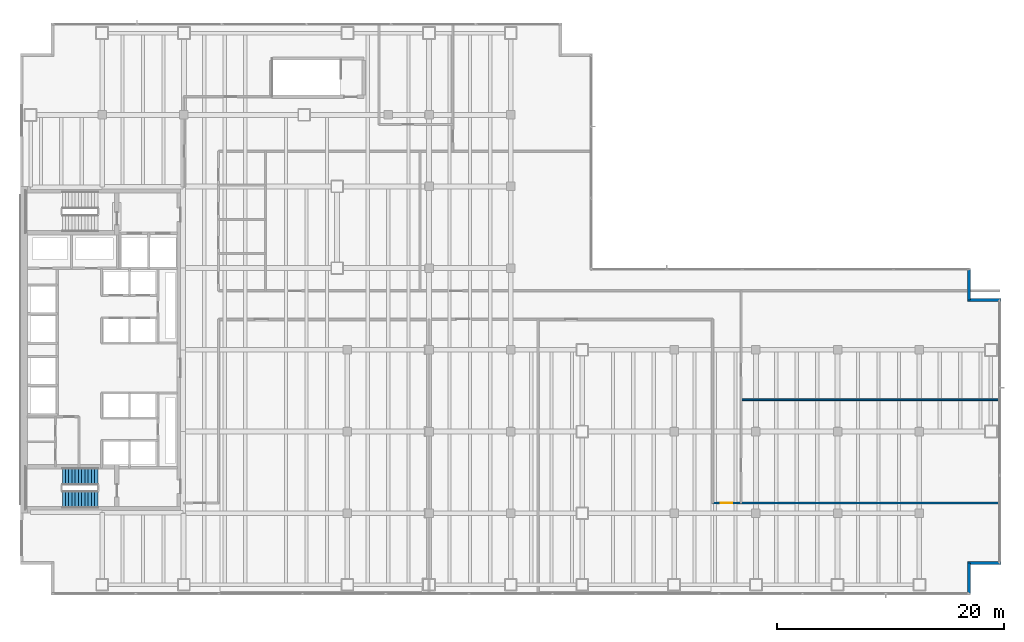
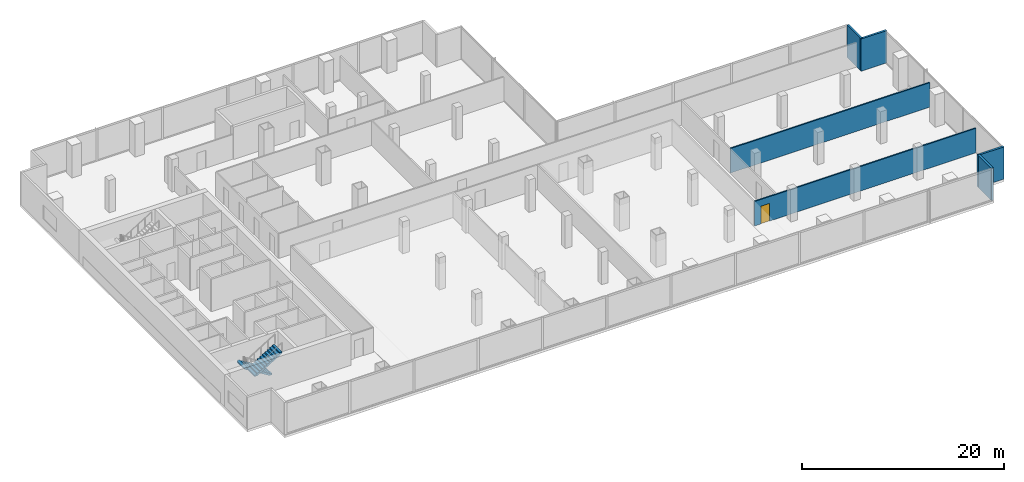
# One storey, part 26 of 32: 6 walls, 2 stair flights, 1 door, 1 opening, 1 element without a shape of its own.
"""IFC4 building model written with IfcOpenShell, lengths in metres."""

from ifc_helpers import new_model, si_unit, direction, frame, frame_2d, origin, place, context, subcontext, project, spatial, polyline, rectangle, outline, extrude, material, layer, layer_set, type_object, element, fill, aggregate, save


model = new_model("IFC4")

# Units and contexts
model_context = context("Model", 3, precision=1e-05, world=origin(), true_north=direction((0.0, 1.0)))
body_context = subcontext(model_context, "Body", "Model", "MODEL_VIEW")
ifc_project = project(units=[si_unit("LENGTHUNIT", "METRE"), si_unit("AREAUNIT", "SQUARE_METRE"), si_unit("VOLUMEUNIT", "CUBIC_METRE"), si_unit("PLANEANGLEUNIT", "RADIAN"), si_unit("MASSUNIT", "GRAM", prefix="KILO")], contexts=[model_context])

# Site, building, storey
site_placement = place(None, origin())
site = spatial("IfcSite", under=ifc_project, at=site_placement, CompositionType="ELEMENT")
building_placement = place(site_placement, origin())
building = spatial("IfcBuilding", under=site, at=building_placement, Name="Cobrela Telecom Tower", CompositionType="ELEMENT")
storey_placement = place(building_placement, frame((0.0, 0.0, 22.050048828125)))
storey = spatial("IfcBuildingStorey", under=building, at=storey_placement, Name="L05", CompositionType="ELEMENT", Elevation=22.050048828125)

# Walls
ifc_material_1 = material(Name="Concrete C40/50", Category="concrete")
ifc_layer_1 = layer(ifc_material_1, 0.239990234375)
ifc_layer_set_1 = layer_set([ifc_layer_1], Name="Concrete C40/50")
wall_type_1 = type_object("IfcWallType", Name="WALL-EXT-300", PredefinedType="STANDARD", material=ifc_layer_set_1)
wall_1_placement = place(storey_placement, frame((83.580078125, 28.679931640625, 0.0), z_axis=(0.0, 0.0, 1.0), x_axis=(0.0, -1.0, 0.0)))
element("IfcWall", 1, at=wall_1_placement, inside=storey, type_object=wall_type_1, Name="L05 Insulated Facade Wall 12", PredefinedType="STANDARD", context=body_context, shape_type="SweptSolid", body=[
    extrude(rectangle(XDim=2.699951171875, YDim=0.239990234375, at=frame_2d((1.35009765625, 0.0))), origin(), (0.0, 0.0, 1.0), 3.89990234375),
])
for number, where, z_axis, x_axis, name in (
    (2, (83.4599609375, 25.97998046875, 0.0), (0.0, 0.0, 1.0), (1.0, 0.0, 0.0), "L05 Insulated Facade Wall 13"),
    (3, (86.39990234375, 2.820068359375, 0.0), (0.0, 0.0, 1.0), (-1.0, 0.0, 0.0), "L05 Insulated Facade Wall 15"),
):
    element("IfcWall", number, at=place(storey_placement, frame(where, z_axis=z_axis, x_axis=x_axis)), inside=storey, type_object=wall_type_1, Name=name, PredefinedType="STANDARD", context=body_context, shape_type="SweptSolid", body=[
        extrude(rectangle(XDim=2.93994140625, YDim=0.239990234375, at=frame_2d((1.469970703125, 0.0))), origin(), (0.0, 0.0, 1.0), 3.89990234375),
    ])
wall_2_placement = place(storey_placement, frame((83.580078125, 2.820068359375, 0.0), z_axis=(0.0, 0.0, 1.0), x_axis=(0.0, -1.0, 0.0)))
element("IfcWall", 4, at=wall_2_placement, inside=storey, type_object=wall_type_1, Name="L05 Insulated Facade Wall 16", PredefinedType="STANDARD", context=body_context, shape_type="SweptSolid", body=[
    extrude(rectangle(XDim=2.699951171875, YDim=0.239990234375, at=frame_2d((1.35009765625, 0.0))), origin(), (0.0, 0.0, 1.0), 3.89990234375),
])

# Wall, opening, door
ifc_material_2 = material(Name="Fire-Rated Gypsum Plasterboard")
ifc_layer_2 = layer(ifc_material_2, 0.14990234375)
ifc_layer_set_2 = layer_set([ifc_layer_2], Name="Fire-Rated Gypsum Plasterboard")
wall_type_2 = type_object("IfcWallType", Name="WALL-PART-150", PredefinedType="PARTITIONING", material=ifc_layer_set_2)
wall_3_placement = place(storey_placement, frame((61.0, 8.10009765625, 0.0), z_axis=(0.0, 0.0, 1.0), x_axis=(1.0, 0.0, 0.0)))
wall_3 = element("IfcWall", 5, at=wall_3_placement, inside=storey, type_object=wall_type_2, Name="L05 Interior Partition W-P4-LPS", PredefinedType="PARTITIONING", context=body_context, shape_type="SweptSolid", body=[
    extrude(rectangle(XDim=25.280029296875, YDim=0.14990234375, at=frame_2d((12.64013671875, 0.0))), origin(), (0.0, 0.0, 1.0), 2.9580078125),
])
opening_placement = place(wall_3_placement, frame((0.699951171875, 0.0, 0.0)))
opening = element("IfcOpeningElement", 6, at=opening_placement, cuts=wall_3, Name="Opening DR-31", PredefinedType="OPENING", context=body_context, shape_type="SweptSolid", body=[
    extrude(rectangle(XDim=1.0, YDim=2.14990234375, at=frame_2d((0.5, 1.074951171875))), frame((0.0, 0.0869140625, 0.0), z_axis=(0.0, -1.0, 0.0), x_axis=(1.0, 0.0, 0.0)), (0.0, 0.0, 1.0), 0.173828125),
])
ifc_material_3 = material(Name="Solid Engineered Oak Timber", Category="wood")
door_type = type_object("IfcDoorType", Name="DOOR-INT-1000", OperationType="SINGLE_SWING_LEFT", PredefinedType="DOOR", material=ifc_material_3)
door_placement = place(opening_placement, origin())
door = element("IfcDoor", 7, at=door_placement, inside=storey, type_object=door_type, Name="L05 Door DR-31", OperationType="SINGLE_SWING_LEFT", OverallHeight=2.14990234375, OverallWidth=1.0, PredefinedType="DOOR", context=body_context, shape_type="SweptSolid", body=[
    extrude(rectangle(XDim=1.0, YDim=2.14990234375, at=frame_2d((0.5, 1.074951171875))), frame((0.0, 0.02490234375, 0.0), z_axis=(0.0, -1.0, 0.0), x_axis=(1.0, 0.0, 0.0)), (0.0, 0.0, 1.0), 0.050048828125),
])
fill(opening, door)

# Wall
wall_4_placement = place(storey_placement, frame((63.5, 17.199951171875, 0.0), z_axis=(0.0, 0.0, 1.0), x_axis=(1.0, 0.0, 0.0)))
element("IfcWall", 8, at=wall_4_placement, inside=storey, type_object=wall_type_2, Name="L05 Interior Partition W-P4-EH1", PredefinedType="PARTITIONING", context=body_context, shape_type="SweptSolid", body=[
    extrude(rectangle(XDim=22.780029296875, YDim=0.14990234375, at=frame_2d((11.39013671875, 0.0))), origin(), (0.0, 0.0, 1.0), 2.9580078125),
])

# Stair, stair flights
stair_type = type_object("IfcStairType", Name="STAIR-CORE", PredefinedType="HALF_TURN_STAIR", material=ifc_material_1)
stair_placement = place(storey_placement, origin())
stair = element("IfcStair", 9, at=stair_placement, inside=storey, type_object=stair_type, Name="L05 Smokeproof Exit Stair ST2", PredefinedType="HALF_TURN_STAIR")
stair_flight_type = type_object("IfcStairFlightType", Name="FLIGHT-CORE", PredefinedType="STRAIGHT", material=ifc_material_1)
stair_flight_1_placement = place(storey_placement, frame((6.820068359375, 10.449951171875, 0.0), z_axis=(0.0, 0.0, 1.0), x_axis=(-1.0, 0.0, 0.0)))
stair_flight_1 = element("IfcStairFlight", 10, at=stair_flight_1_placement, type_object=stair_flight_type, Name="ST2 flight 1", NumberOfRisers=12, NumberOfTreads=11, PredefinedType="STRAIGHT", RiserHeight=0.175, TreadLength=0.285, context=body_context, shape_type="SweptSolid", body=[
    extrude(outline(polyline([(0.0, 0.0), (0.0, 0.175048828125), (0.284912109375, 0.175048828125), (0.284912109375, 0.35009765625), (0.570068359375, 0.35009765625), (0.570068359375, 0.52490234375), (0.85498046875, 0.52490234375), (0.85498046875, 0.699951171875), (1.139892578125, 0.699951171875), (1.139892578125, 0.875), (1.425048828125, 0.875), (1.425048828125, 1.050048828125), (1.7099609375, 1.050048828125), (1.7099609375, 1.22509765625), (1.9951171875, 1.22509765625), (1.9951171875, 1.39990234375), (2.280029296875, 1.39990234375), (2.280029296875, 1.574951171875), (2.56494140625, 1.574951171875), (2.56494140625, 1.75), (2.85009765625, 1.75), (2.85009765625, 1.925048828125), (3.135009765625, 1.925048828125), (3.135009765625, 2.10009765625), (3.135009765625, 1.7490234375), (0.286376953125, 0.0), (0.0, 0.0)])), frame((0.0, 0.75, 0.0), z_axis=(0.0, -1.0, 0.0), x_axis=(1.0, 0.0, 0.0)), (0.0, 0.0, 1.0), 1.5),
])
stair_flight_2_placement = place(storey_placement, frame((3.68505859375, 8.39990234375, 2.099853515625), z_axis=(0.0, 0.0, 1.0), x_axis=(1.0, 0.0, 0.0)))
stair_flight_2 = element("IfcStairFlight", 11, at=stair_flight_2_placement, type_object=stair_flight_type, Name="ST2 flight 2", NumberOfRisers=12, NumberOfTreads=11, PredefinedType="STRAIGHT", RiserHeight=0.175, TreadLength=0.285, context=body_context, shape_type="SweptSolid", body=[
    extrude(outline(polyline([(0.0, 0.0), (0.0, 0.175048828125), (0.284912109375, 0.175048828125), (0.284912109375, 0.35009765625), (0.570068359375, 0.35009765625), (0.570068359375, 0.52490234375), (0.85498046875, 0.52490234375), (0.85498046875, 0.699951171875), (1.139892578125, 0.699951171875), (1.139892578125, 0.875), (1.425048828125, 0.875), (1.425048828125, 1.050048828125), (1.7099609375, 1.050048828125), (1.7099609375, 1.22509765625), (1.9951171875, 1.22509765625), (1.9951171875, 1.39990234375), (2.280029296875, 1.39990234375), (2.280029296875, 1.574951171875), (2.56494140625, 1.574951171875), (2.56494140625, 1.75), (2.85009765625, 1.75), (2.85009765625, 1.925048828125), (3.135009765625, 1.925048828125), (3.135009765625, 2.10009765625), (3.135009765625, 1.7490234375), (0.286376953125, 0.0), (0.0, 0.0)])), frame((0.0, 0.75, 0.0), z_axis=(0.0, -1.0, 0.0), x_axis=(1.0, 0.0, 0.0)), (0.0, 0.0, 1.0), 1.5),
])
aggregate(stair, [stair_flight_1, stair_flight_2])

save(model, "model.ifc")
